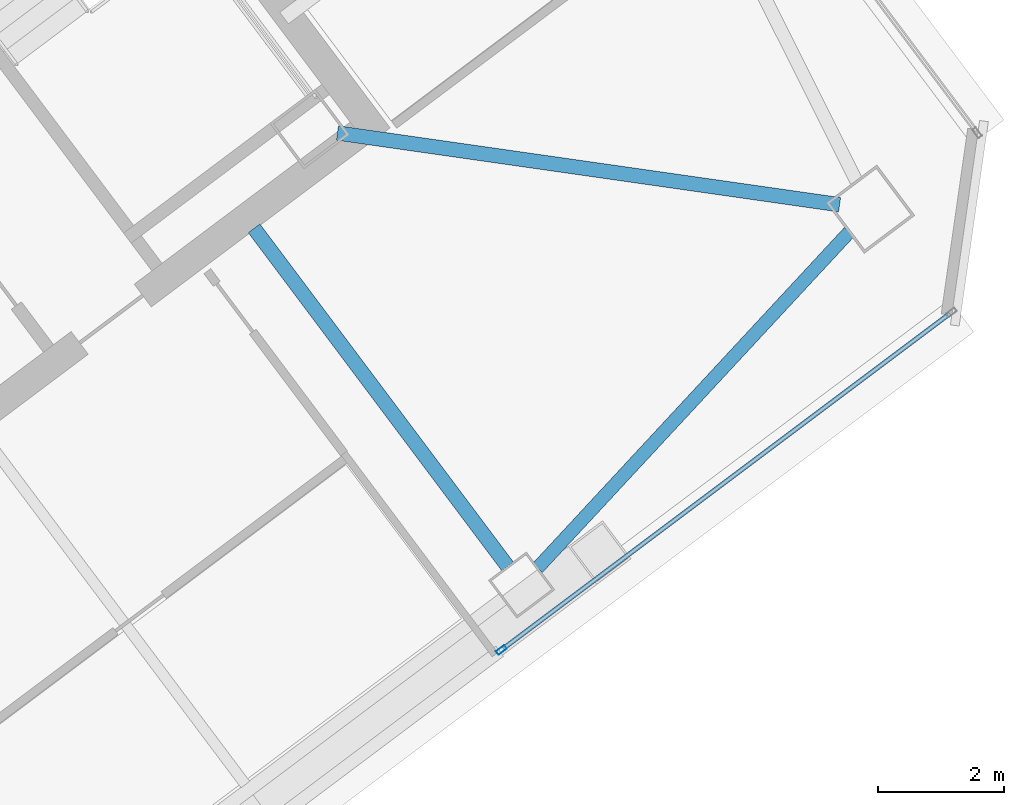
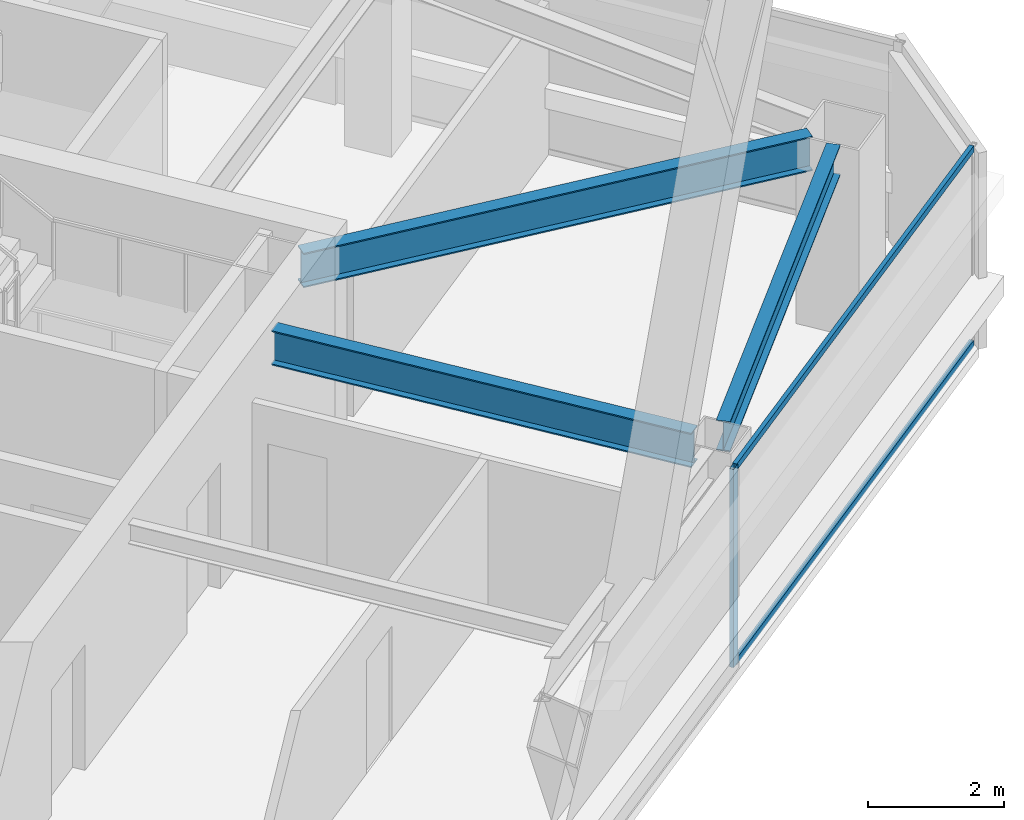
# One storey, part 27 of 47: 3 beams, 3 members, 1 element without a shape of its own.
"""IFC4 building model written with IfcOpenShell, lengths in metres."""

from ifc_helpers import new_model, si_unit, direction, frame, origin, origin_2d, place, context, subcontext, project, spatial, hollow_rectangle, i_section, extrude, material, material_profile, profile_set, type_object, element, aggregate, save


model = new_model("IFC4")

# Units and contexts
model_context = context("Model", 3, precision=1e-05, world=origin(), true_north=direction((0.0, 1.0)))
body_context = subcontext(model_context, "Body", "Model", "MODEL_VIEW")
ifc_project = project(units=[si_unit("LENGTHUNIT", "METRE"), si_unit("AREAUNIT", "SQUARE_METRE"), si_unit("VOLUMEUNIT", "CUBIC_METRE"), si_unit("PLANEANGLEUNIT", "RADIAN"), si_unit("MASSUNIT", "GRAM", prefix="KILO")], contexts=[model_context])

# Site, building, storey
site_placement = place(None, origin())
site = spatial("IfcSite", under=ifc_project, at=site_placement, CompositionType="ELEMENT")
building_placement = place(site_placement, origin())
building = spatial("IfcBuilding", under=site, at=building_placement, Name="Tashvorn Skyway Center", CompositionType="ELEMENT")
storey_placement = place(building_placement, frame((0.0, 0.0, 204.199951171875)))
storey = spatial("IfcBuildingStorey", under=building, at=storey_placement, Name="L55", CompositionType="ELEMENT", Elevation=204.199951171875)

# Beams
ifc_material_1 = material(Name="Steel ASTM A992 Grade 50", Category="steel")
ifc_material_profile_1 = material_profile(ifc_material_1, i_section(OverallWidth=0.22998046875, OverallDepth=0.616943359375, WebThickness=0.01318359375, FlangeThickness=0.022216796875, at=origin_2d()), Name="W24X94")
ifc_profile_set_1 = profile_set([ifc_material_profile_1], Name="Steel ASTM A992 Grade 50")
beam_type_1 = type_object("IfcBeamType", Name="BM-BEAM-W24X94", PredefinedType="BEAM", material=ifc_profile_set_1)
beam_1_placement = place(storey_placement, frame((132.27001953125, 29.389892578125, 3.0615234375), z_axis=(-0.989947064346, 0.141438360399, 0.0), x_axis=(-0.141438360399, -0.989947064346, 0.0)))
element("IfcBeam", 1, at=beam_1_placement, inside=storey, type_object=beam_type_1, Name="Tower 2 L55 Primary Floor Girder MC-SE", PredefinedType="BEAM", context=body_context, shape_type="SweptSolid", body=[
    extrude(i_section(OverallWidth=0.22998046875, OverallDepth=0.616943359375, WebThickness=0.01318359375, FlangeThickness=0.022216796875, at=origin_2d()), origin(), (0.0, 0.0, 1.0), 8.040283203125),
])
beam_2_placement = place(storey_placement, frame((127.008056640625, 23.656005859375, 3.0615234375), z_axis=(-0.599994169845, 0.800004372583, 0.0), x_axis=(-0.800004372583, -0.599994169845, 0.0)))
element("IfcBeam", 2, at=beam_2_placement, inside=storey, type_object=beam_type_1, Name="Tower 2 L55 Primary Floor Girder FC-S2", PredefinedType="BEAM", context=body_context, shape_type="SweptSolid", body=[
    extrude(i_section(OverallWidth=0.22998046875, OverallDepth=0.616943359375, WebThickness=0.01318359375, FlangeThickness=0.022216796875, at=origin_2d()), origin(), (0.0, 0.0, 1.0), 6.7001953125),
])
ifc_material_profile_2 = material_profile(ifc_material_1, i_section(OverallWidth=0.2109375, OverallDepth=0.5390625, WebThickness=0.01171875, FlangeThickness=0.018798828125, at=origin_2d()), Name="W21X73")
ifc_profile_set_2 = profile_set([ifc_material_profile_2], Name="Steel ASTM A992 Grade 50")
beam_type_2 = type_object("IfcBeamType", Name="BM-SPANDREL-W21X73", PredefinedType="SPANDREL", material=ifc_profile_set_2)
beam_3_placement = place(storey_placement, frame((127.481689453125, 23.63134765625, 3.1005859375), z_axis=(0.680182956622, 0.733042389989, 0.0), x_axis=(-0.733042389989, 0.680182956622, 0.0)))
element("IfcBeam", 3, at=beam_3_placement, inside=storey, type_object=beam_type_2, Name="Tower 2 L55 Spandrel Beam 03", PredefinedType="SPANDREL", context=body_context, shape_type="SweptSolid", body=[
    extrude(i_section(OverallWidth=0.2109375, OverallDepth=0.5390625, WebThickness=0.01171875, FlangeThickness=0.018798828125, at=origin_2d()), origin(), (0.0, 0.0, 1.0), 7.26513671875),
])

# Curtain wall, members
ifc_material_2 = material(Name="Thermally broken bronze-anodized aluminium 6063-T6", Category="aluminium")
curtain_wall_type = type_object("IfcCurtainWallType", Name="CW-CW-Z5", PredefinedType="NOTDEFINED", material=ifc_material_2)
curtain_wall_placement = place(storey_placement, origin())
curtain_wall = element("IfcCurtainWall", 4, at=curtain_wall_placement, inside=storey, type_object=curtain_wall_type, Name="Tower 2 L55 South Unitised Curtain Wall Glazing Group 1", PredefinedType="NOTDEFINED")
ifc_material_profile_3 = material_profile(ifc_material_2, hollow_rectangle(XDim=0.070068359375, YDim=0.1650390625, WallThickness=0.00390625, at=origin_2d()), Name="ALU-MULL-70x165")
ifc_profile_set_3 = profile_set([ifc_material_profile_3], Name="Thermally broken bronze-anodized aluminium 6063-T6")
member_type_1 = type_object("IfcMemberType", Name="CWM-CW-Z5", PredefinedType="MULLION", material=ifc_profile_set_3)
member_1_placement = place(storey_placement, frame((126.91064453125, 22.3330078125, 0.0), z_axis=(0.0, 0.0, 1.0), x_axis=(0.600001780418, -0.799998664683, 0.0)))
member_1 = element("IfcMember", 5, at=member_1_placement, type_object=member_type_1, Name="CW-Z5 mullion 2", PredefinedType="MULLION", context=body_context, shape_type="SweptSolid", body=[
    extrude(hollow_rectangle(XDim=0.070068359375, YDim=0.1650390625, WallThickness=0.00390625, at=origin_2d()), origin(), (0.0, 0.0, 1.0), 3.550048828125),
])
ifc_material_profile_4 = material_profile(ifc_material_2, hollow_rectangle(XDim=0.070068359375, YDim=0.114990234375, WallThickness=0.00390625, at=origin_2d()), Name="ALU-TRAN-70x115")
ifc_profile_set_4 = profile_set([ifc_material_profile_4], Name="Thermally broken bronze-anodized aluminium 6063-T6")
member_type_2 = type_object("IfcMemberType", Name="CWT-CW-Z5", PredefinedType="USERDEFINED", material=ifc_profile_set_4)
member_2_placement = place(storey_placement, frame((134.01611328125, 27.662109375, 0.03515625), z_axis=(-0.799996688401, -0.600004415441, 0.0), x_axis=(0.600004415441, -0.799996688401, 0.0)))
member_2 = element("IfcMember", 6, at=member_2_placement, type_object=member_type_2, Name="CW-Z5 transom 1.1", ObjectType="TRANSOM", PredefinedType="USERDEFINED", context=body_context, shape_type="SweptSolid", body=[
    extrude(hollow_rectangle(XDim=0.070068359375, YDim=0.114990234375, WallThickness=0.00390625, at=origin_2d()), origin(), (0.0, 0.0, 1.0), 8.8466796875),
])
member_3_placement = place(storey_placement, frame((134.01611328125, 27.662109375, 3.51513671875), z_axis=(-0.799996688401, -0.600004415441, 0.0), x_axis=(0.600004415441, -0.799996688401, 0.0)))
member_3 = element("IfcMember", 7, at=member_3_placement, type_object=member_type_2, Name="CW-Z5 transom 1.2", ObjectType="TRANSOM", PredefinedType="USERDEFINED", context=body_context, shape_type="SweptSolid", body=[
    extrude(hollow_rectangle(XDim=0.070068359375, YDim=0.114990234375, WallThickness=0.00390625, at=origin_2d()), origin(), (0.0, 0.0, 1.0), 8.8466796875),
])
aggregate(curtain_wall, [member_1, member_2, member_3])

save(model, "model.ifc")
